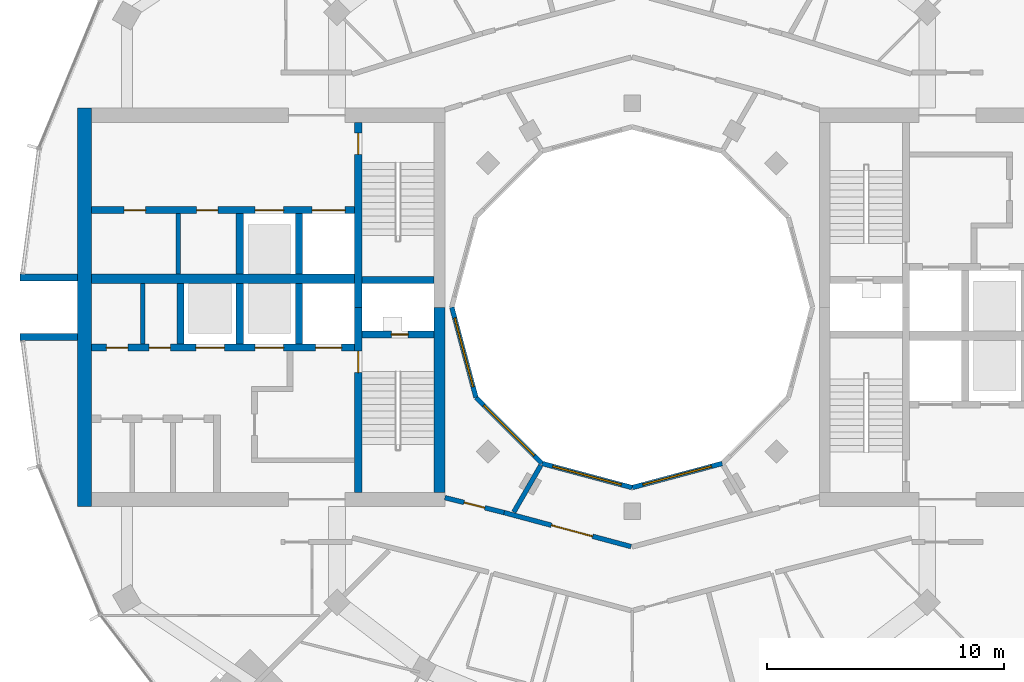
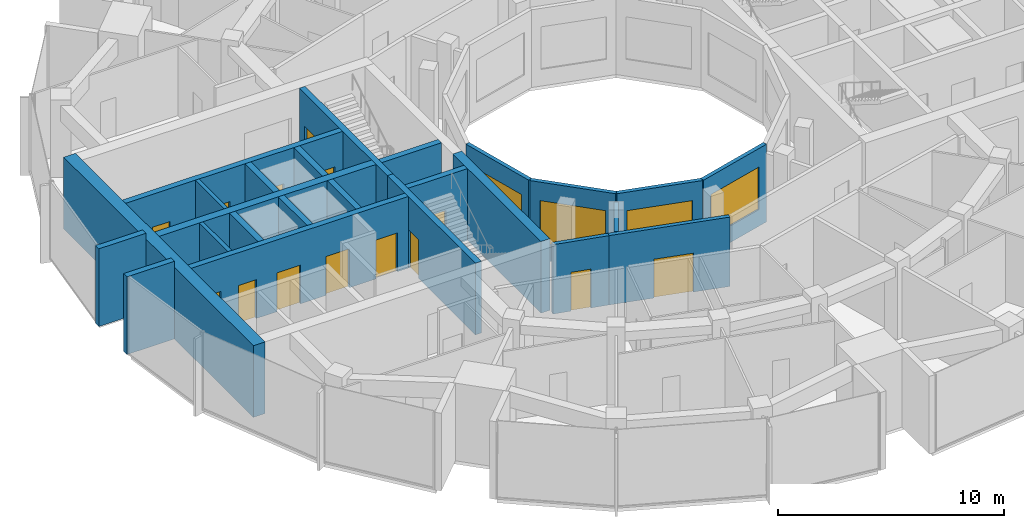
# One storey, part 9 of 15: 25 walls, 14 doors, 4 windows, 18 openings.
"""IFC4 building model written with IfcOpenShell, lengths in metres."""

from ifc_helpers import new_model, si_unit, direction, frame, frame_2d, origin, place, context, subcontext, project, spatial, rectangle, extrude, material, layer, layer_set, type_object, element, fill, save


model = new_model("IFC4")

# Units and contexts
model_context = context("Model", 3, precision=1e-05, world=origin(), true_north=direction((0.0, 1.0)))
body_context = subcontext(model_context, "Body", "Model", "MODEL_VIEW")
ifc_project = project(units=[si_unit("LENGTHUNIT", "METRE"), si_unit("AREAUNIT", "SQUARE_METRE"), si_unit("VOLUMEUNIT", "CUBIC_METRE"), si_unit("PLANEANGLEUNIT", "RADIAN"), si_unit("MASSUNIT", "GRAM", prefix="KILO")], contexts=[model_context])

# Site, building, storey
site_placement = place(None, origin())
site = spatial("IfcSite", under=ifc_project, at=site_placement, CompositionType="ELEMENT")
building_placement = place(site_placement, origin())
building = spatial("IfcBuilding", under=site, at=building_placement, Name="Torre Brocal", CompositionType="ELEMENT")
storey_placement = place(building_placement, frame((0.0, 0.0, 254.10009765625)))
storey = spatial("IfcBuildingStorey", under=building, at=storey_placement, Name="L58", CompositionType="ELEMENT", Elevation=254.10009765625)

# Walls
ifc_material_1 = material(Name="Masonry block", Category="masonry")
ifc_layer_1 = layer(ifc_material_1, 0.199951171875)
ifc_layer_set_1 = layer_set([ifc_layer_1], Name="Masonry block")
wall_type_1 = type_object("IfcWallType", Name="CORE PARTITION 200", PredefinedType="PARTITIONING", material=ifc_layer_set_1)
for number, where, z_axis, x_axis, name in (
    (1, (59.360107421875, 76.0, 0.0), (0.0, 0.0, 1.0), (0.0, -1.0, 0.0), "Wall CP200"),
    (2, (60.860107421875, 78.949951171875, 0.0), (0.0, 0.0, 1.0), (0.0, -1.0, 0.0), "Wall CP200"),
):
    element("IfcWall", number, at=place(storey_placement, frame(where, z_axis=z_axis, x_axis=x_axis)), inside=storey, type_object=wall_type_1, Name=name, PredefinedType="PARTITIONING", context=body_context, shape_type="SweptSolid", body=[
        extrude(rectangle(XDim=2.550048828125, YDim=0.199951171875, at=frame_2d((1.27490234375, 0.0))), origin(), (0.0, 0.0, 1.0), 3.8798828125),
    ])

# Wall, opening, door
ifc_material_2 = material(Name="Concrete C60", Category="concrete")
ifc_layer_2 = layer(ifc_material_2, 0.300048828125)
ifc_layer_set_2 = layer_set([ifc_layer_2], Name="Concrete C60")
wall_type_2 = type_object("IfcWallType", Name="CORE WALL 300 C60", PredefinedType="SHEAR", material=ifc_layer_set_2)
wall_1_placement = place(storey_placement, frame((68.449951171875, 75.0, 0.0), z_axis=(0.0, 0.0, 1.0), x_axis=(0.0, -1.0, 0.0)))
wall_1 = element("IfcWall", 3, at=wall_1_placement, inside=storey, type_object=wall_type_2, Name="Wall CW300-60", PredefinedType="SHEAR", context=body_context, shape_type="SweptSolid", body=[
    extrude(rectangle(XDim=7.800048828125, YDim=0.300048828125, at=frame_2d((3.89990234375, 0.0))), origin(), (0.0, 0.0, 1.0), 3.8798828125),
])
opening_1_placement = place(wall_1_placement, frame((1.85009765625, 0.0, 0.0)))
opening_1 = element("IfcOpeningElement", 4, at=opening_1_placement, cuts=wall_1, Name="Opening W-D02", PredefinedType="OPENING", context=body_context, shape_type="SweptSolid", body=[
    extrude(rectangle(XDim=0.89990234375, YDim=2.10009765625, at=frame_2d((0.449951171875, 1.050048828125))), frame((0.0, 0.159912109375, 0.0), z_axis=(0.0, -1.0, 0.0), x_axis=(1.0, 0.0, 0.0)), (0.0, 0.0, 1.0), 0.320068359375),
])
ifc_material_3 = material(Name="Steel A653", Category="steel")
door_type_1 = type_object("IfcDoorType", Name="STAIR DOOR FD120 900X2100", OperationType="SINGLE_SWING_RIGHT", PredefinedType="DOOR", material=ifc_material_3)
door_1_placement = place(opening_1_placement, origin())
door_1 = element("IfcDoor", 5, at=door_1_placement, inside=storey, type_object=door_type_1, Name="Door W-D02", OperationType="SINGLE_SWING_LEFT", OverallHeight=2.10009765625, OverallWidth=0.89990234375, PredefinedType="DOOR", context=body_context, shape_type="SweptSolid", body=[
    extrude(rectangle(XDim=0.89990234375, YDim=2.10009765625, at=frame_2d((0.449951171875, 1.050048828125))), frame((0.0, 0.02490234375, 0.0), z_axis=(0.0, -1.0, 0.0), x_axis=(1.0, 0.0, 0.0)), (0.0, 0.0, 1.0), 0.050048828125),
])
fill(opening_1, door_1)

wall_2_placement = place(storey_placement, frame((68.449951171875, 82.800048828125, 0.0), z_axis=(0.0, 0.0, 1.0), x_axis=(0.0, -1.0, 0.0)))
wall_2 = element("IfcWall", 6, at=wall_2_placement, inside=storey, type_object=wall_type_2, Name="Wall CW300-60", PredefinedType="SHEAR", context=body_context, shape_type="SweptSolid", body=[
    extrude(rectangle(XDim=7.800048828125, YDim=0.300048828125, at=frame_2d((3.89990234375, 0.0))), origin(), (0.0, 0.0, 1.0), 3.8798828125),
])
opening_2_placement = place(wall_2_placement, frame((0.449951171875, 0.0, 0.0)))
opening_2 = element("IfcOpeningElement", 7, at=opening_2_placement, cuts=wall_2, Name="Opening W-D03", PredefinedType="OPENING", context=body_context, shape_type="SweptSolid", body=[
    extrude(rectangle(XDim=0.89990234375, YDim=2.10009765625, at=frame_2d((0.449951171875, 1.050048828125))), frame((0.0, 0.159912109375, 0.0), z_axis=(0.0, -1.0, 0.0), x_axis=(1.0, 0.0, 0.0)), (0.0, 0.0, 1.0), 0.320068359375),
])
door_2_placement = place(opening_2_placement, origin())
door_2 = element("IfcDoor", 8, at=door_2_placement, inside=storey, type_object=door_type_1, Name="Door W-D03", OperationType="SINGLE_SWING_LEFT", OverallHeight=2.10009765625, OverallWidth=0.89990234375, PredefinedType="DOOR", context=body_context, shape_type="SweptSolid", body=[
    extrude(rectangle(XDim=0.89990234375, YDim=2.10009765625, at=frame_2d((0.449951171875, 1.050048828125))), frame((0.0, 0.02490234375, 0.0), z_axis=(0.0, -1.0, 0.0), x_axis=(1.0, 0.0, 0.0)), (0.0, 0.0, 1.0), 0.050048828125),
])
fill(opening_2, door_2)

wall_3_placement = place(storey_placement, frame((71.64990234375, 73.85009765625, 0.0), z_axis=(0.0, 0.0, 1.0), x_axis=(-1.0, 0.0, 0.0)))
wall_3 = element("IfcWall", 9, at=wall_3_placement, inside=storey, type_object=wall_type_2, Name="Wall CW300-60", PredefinedType="SHEAR", context=body_context, shape_type="SweptSolid", body=[
    extrude(rectangle(XDim=3.0498046875, YDim=0.300048828125, at=frame_2d((1.52490234375, 0.0))), origin(), (0.0, 0.0, 1.0), 3.8798828125),
])
opening_3_placement = place(wall_3_placement, frame((1.10009765625, 0.0, 0.0)))
opening_3 = element("IfcOpeningElement", 10, at=opening_3_placement, cuts=wall_3, Name="Opening W-D01", PredefinedType="OPENING", context=body_context, shape_type="SweptSolid", body=[
    extrude(rectangle(XDim=0.699951171875, YDim=2.0, at=frame_2d((0.35009765625, 1.0))), frame((0.0, 0.159912109375, 0.0), z_axis=(0.0, -1.0, 0.0), x_axis=(1.0, 0.0, 0.0)), (0.0, 0.0, 1.0), 0.320068359375),
])
ifc_material_4 = material(Name="Steel A653", Category="steel")
door_type_2 = type_object("IfcDoorType", Name="RISER DOOR FD120 700X2000", OperationType="SINGLE_SWING_LEFT", PredefinedType="DOOR", material=ifc_material_4)
door_3_placement = place(opening_3_placement, frame((0.699951171875, 0.0, 0.0), z_axis=(0.0, 0.0, 1.0), x_axis=(-1.0, 0.0, 0.0)))
door_3 = element("IfcDoor", 11, at=door_3_placement, inside=storey, type_object=door_type_2, Name="Door W-D01", OperationType="SINGLE_SWING_RIGHT", OverallHeight=2.0, OverallWidth=0.699951171875, PredefinedType="DOOR", context=body_context, shape_type="SweptSolid", body=[
    extrude(rectangle(XDim=0.699951171875, YDim=2.0, at=frame_2d((0.35009765625, 1.0))), frame((0.0, 0.02490234375, 0.0), z_axis=(0.0, -1.0, 0.0), x_axis=(1.0, 0.0, 0.0)), (0.0, 0.0, 1.0), 0.050048828125),
])
fill(opening_3, door_3)

# Wall
wall_4_placement = place(storey_placement, frame((71.64990234375, 76.14990234375, 0.0), z_axis=(0.0, 0.0, 1.0), x_axis=(-1.0, 0.0, 0.0)))
element("IfcWall", 12, at=wall_4_placement, inside=storey, type_object=wall_type_2, Name="Wall CW300-60", PredefinedType="SHEAR", context=body_context, shape_type="SweptSolid", body=[
    extrude(rectangle(XDim=3.0498046875, YDim=0.300048828125, at=frame_2d((1.52490234375, 0.0))), origin(), (0.0, 0.0, 1.0), 3.8798828125),
])

# Wall, openings, doors
wall_5_placement = place(storey_placement, frame((68.300048828125, 73.300048828125, 0.0), z_axis=(0.0, 0.0, 1.0), x_axis=(-1.0, 0.0, 0.0)))
wall_5 = element("IfcWall", 13, at=wall_5_placement, inside=storey, type_object=wall_type_2, Name="Wall CW300-60", PredefinedType="SHEAR", context=body_context, shape_type="SweptSolid", body=[
    extrude(rectangle(XDim=11.10009765625, YDim=0.300048828125, at=frame_2d((5.550048828125, 0.0))), origin(), (0.0, 0.0, 1.0), 3.8798828125),
])
opening_4_placement = place(wall_5_placement, frame((0.550048828125, 0.0, 0.0)))
opening_4 = element("IfcOpeningElement", 14, at=opening_4_placement, cuts=wall_5, Name="Opening LD", PredefinedType="OPENING", context=body_context, shape_type="SweptSolid", body=[
    extrude(rectangle(XDim=1.10009765625, YDim=2.10009765625, at=frame_2d((0.550048828125, 1.050048828125))), frame((0.0, 0.159912109375, 0.0), z_axis=(0.0, -1.0, 0.0), x_axis=(1.0, 0.0, 0.0)), (0.0, 0.0, 1.0), 0.320068359375),
])
opening_5_placement = place(wall_5_placement, frame((3.0, 0.0, 0.0)))
opening_5 = element("IfcOpeningElement", 15, at=opening_5_placement, cuts=wall_5, Name="Opening LD12", PredefinedType="OPENING", context=body_context, shape_type="SweptSolid", body=[
    extrude(rectangle(XDim=1.199951171875, YDim=2.10009765625, at=frame_2d((0.60009765625, 1.050048828125))), frame((0.0, 0.159912109375, 0.0), z_axis=(0.0, -1.0, 0.0), x_axis=(1.0, 0.0, 0.0)), (0.0, 0.0, 1.0), 0.320068359375),
])
opening_6_placement = place(wall_5_placement, frame((5.5, 0.0, 0.0)))
opening_6 = element("IfcOpeningElement", 16, at=opening_6_placement, cuts=wall_5, Name="Opening LD12", PredefinedType="OPENING", context=body_context, shape_type="SweptSolid", body=[
    extrude(rectangle(XDim=1.199951171875, YDim=2.10009765625, at=frame_2d((0.60009765625, 1.050048828125))), frame((0.0, 0.159912109375, 0.0), z_axis=(0.0, -1.0, 0.0), x_axis=(1.0, 0.0, 0.0)), (0.0, 0.0, 1.0), 0.320068359375),
])
opening_7_placement = place(wall_5_placement, frame((7.77001953125, 0.0, 0.0)))
opening_7 = element("IfcOpeningElement", 17, at=opening_7_placement, cuts=wall_5, Name="Opening W-D04", PredefinedType="OPENING", context=body_context, shape_type="SweptSolid", body=[
    extrude(rectangle(XDim=0.89990234375, YDim=2.10009765625, at=frame_2d((0.449951171875, 1.050048828125))), frame((0.0, 0.159912109375, 0.0), z_axis=(0.0, -1.0, 0.0), x_axis=(1.0, 0.0, 0.0)), (0.0, 0.0, 1.0), 0.320068359375),
])
opening_8_placement = place(wall_5_placement, frame((9.570068359375, 0.0, 0.0)))
opening_8 = element("IfcOpeningElement", 18, at=opening_8_placement, cuts=wall_5, Name="Opening W-D05", PredefinedType="OPENING", context=body_context, shape_type="SweptSolid", body=[
    extrude(rectangle(XDim=0.89990234375, YDim=2.10009765625, at=frame_2d((0.449951171875, 1.050048828125))), frame((0.0, 0.159912109375, 0.0), z_axis=(0.0, -1.0, 0.0), x_axis=(1.0, 0.0, 0.0)), (0.0, 0.0, 1.0), 0.320068359375),
])
ifc_material_5 = material(Name="Stainless steel AISI 316", Category="steel")
door_type_3 = type_object("IfcDoorType", Name="LIFT LANDING DOOR 1100X2100", OperationType="DOUBLE_DOOR_SLIDING", PredefinedType="DOOR", material=ifc_material_5)
door_4_placement = place(opening_4_placement, origin())
door_4 = element("IfcDoor", 19, at=door_4_placement, inside=storey, type_object=door_type_3, Name="Door LD", OperationType="DOUBLE_DOOR_SLIDING", OverallHeight=2.10009765625, OverallWidth=1.10009765625, PredefinedType="DOOR", context=body_context, shape_type="SweptSolid", body=[
    extrude(rectangle(XDim=1.10009765625, YDim=2.10009765625, at=frame_2d((0.550048828125, 1.050048828125))), frame((0.0, 0.02490234375, 0.0), z_axis=(0.0, -1.0, 0.0), x_axis=(1.0, 0.0, 0.0)), (0.0, 0.0, 1.0), 0.050048828125),
])
fill(opening_4, door_4)
ifc_material_6 = material(Name="Stainless steel AISI 316", Category="steel")
door_type_4 = type_object("IfcDoorType", Name="LIFT LANDING DOOR 1200X2100", OperationType="DOUBLE_DOOR_SLIDING", PredefinedType="DOOR", material=ifc_material_6)
door_5_placement = place(opening_5_placement, origin())
door_5 = element("IfcDoor", 20, at=door_5_placement, inside=storey, type_object=door_type_4, Name="Door LD12", OperationType="DOUBLE_DOOR_SLIDING", OverallHeight=2.10009765625, OverallWidth=1.199951171875, PredefinedType="DOOR", context=body_context, shape_type="SweptSolid", body=[
    extrude(rectangle(XDim=1.199951171875, YDim=2.10009765625, at=frame_2d((0.60009765625, 1.050048828125))), frame((0.0, 0.02490234375, 0.0), z_axis=(0.0, -1.0, 0.0), x_axis=(1.0, 0.0, 0.0)), (0.0, 0.0, 1.0), 0.050048828125),
])
fill(opening_5, door_5)
door_6_placement = place(opening_6_placement, origin())
door_6 = element("IfcDoor", 21, at=door_6_placement, inside=storey, type_object=door_type_4, Name="Door LD12", OperationType="DOUBLE_DOOR_SLIDING", OverallHeight=2.10009765625, OverallWidth=1.199951171875, PredefinedType="DOOR", context=body_context, shape_type="SweptSolid", body=[
    extrude(rectangle(XDim=1.199951171875, YDim=2.10009765625, at=frame_2d((0.60009765625, 1.050048828125))), frame((0.0, 0.02490234375, 0.0), z_axis=(0.0, -1.0, 0.0), x_axis=(1.0, 0.0, 0.0)), (0.0, 0.0, 1.0), 0.050048828125),
])
fill(opening_6, door_6)
ifc_material_7 = material(Name="Steel A653", Category="steel")
door_type_5 = type_object("IfcDoorType", Name="ROOM DOOR FD30S 900X2100", OperationType="SINGLE_SWING_LEFT", PredefinedType="DOOR", material=ifc_material_7)
door_7_placement = place(opening_7_placement, frame((0.89990234375, 0.0, 0.0), z_axis=(0.0, 0.0, 1.0), x_axis=(-1.0, 0.0, 0.0)))
door_7 = element("IfcDoor", 22, at=door_7_placement, inside=storey, type_object=door_type_5, Name="Door W-D04", OperationType="SINGLE_SWING_LEFT", OverallHeight=2.10009765625, OverallWidth=0.89990234375, PredefinedType="DOOR", context=body_context, shape_type="SweptSolid", body=[
    extrude(rectangle(XDim=0.89990234375, YDim=2.10009765625, at=frame_2d((0.449951171875, 1.050048828125))), frame((0.0, 0.02490234375, 0.0), z_axis=(0.0, -1.0, 0.0), x_axis=(1.0, 0.0, 0.0)), (0.0, 0.0, 1.0), 0.050048828125),
])
fill(opening_7, door_7)
door_8_placement = place(opening_8_placement, frame((0.89990234375, 0.0, 0.0), z_axis=(0.0, 0.0, 1.0), x_axis=(-1.0, 0.0, 0.0)))
door_8 = element("IfcDoor", 23, at=door_8_placement, inside=storey, type_object=door_type_5, Name="Door W-D05", OperationType="SINGLE_SWING_RIGHT", OverallHeight=2.10009765625, OverallWidth=0.89990234375, PredefinedType="DOOR", context=body_context, shape_type="SweptSolid", body=[
    extrude(rectangle(XDim=0.89990234375, YDim=2.10009765625, at=frame_2d((0.449951171875, 1.050048828125))), frame((0.0, 0.02490234375, 0.0), z_axis=(0.0, -1.0, 0.0), x_axis=(1.0, 0.0, 0.0)), (0.0, 0.0, 1.0), 0.050048828125),
])
fill(opening_8, door_8)

wall_6_placement = place(storey_placement, frame((68.300048828125, 79.10009765625, 0.0), z_axis=(0.0, 0.0, 1.0), x_axis=(-1.0, 0.0, 0.0)))
wall_6 = element("IfcWall", 24, at=wall_6_placement, inside=storey, type_object=wall_type_2, Name="Wall CW300-60", PredefinedType="SHEAR", context=body_context, shape_type="SweptSolid", body=[
    extrude(rectangle(XDim=11.10009765625, YDim=0.300048828125, at=frame_2d((5.550048828125, 0.0))), origin(), (0.0, 0.0, 1.0), 3.8798828125),
])
opening_9_placement = place(wall_6_placement, frame((0.39990234375, 0.0, 0.0)))
opening_9 = element("IfcOpeningElement", 25, at=opening_9_placement, cuts=wall_6, Name="Opening LD14", PredefinedType="OPENING", context=body_context, shape_type="SweptSolid", body=[
    extrude(rectangle(XDim=1.39990234375, YDim=2.10009765625, at=frame_2d((0.699951171875, 1.050048828125))), frame((0.0, 0.159912109375, 0.0), z_axis=(0.0, -1.0, 0.0), x_axis=(1.0, 0.0, 0.0)), (0.0, 0.0, 1.0), 0.320068359375),
])
opening_10_placement = place(wall_6_placement, frame((3.0, 0.0, 0.0)))
opening_10 = element("IfcOpeningElement", 26, at=opening_10_placement, cuts=wall_6, Name="Opening LD12", PredefinedType="OPENING", context=body_context, shape_type="SweptSolid", body=[
    extrude(rectangle(XDim=1.199951171875, YDim=2.10009765625, at=frame_2d((0.60009765625, 1.050048828125))), frame((0.0, 0.159912109375, 0.0), z_axis=(0.0, -1.0, 0.0), x_axis=(1.0, 0.0, 0.0)), (0.0, 0.0, 1.0), 0.320068359375),
])
opening_11_placement = place(wall_6_placement, frame((5.77001953125, 0.0, 0.0)))
opening_11 = element("IfcOpeningElement", 27, at=opening_11_placement, cuts=wall_6, Name="Opening W-D06", PredefinedType="OPENING", context=body_context, shape_type="SweptSolid", body=[
    extrude(rectangle(XDim=0.89990234375, YDim=2.10009765625, at=frame_2d((0.449951171875, 1.050048828125))), frame((0.0, 0.159912109375, 0.0), z_axis=(0.0, -1.0, 0.0), x_axis=(1.0, 0.0, 0.0)), (0.0, 0.0, 1.0), 0.320068359375),
])
opening_12_placement = place(wall_6_placement, frame((8.820068359375, 0.0, 0.0)))
opening_12 = element("IfcOpeningElement", 28, at=opening_12_placement, cuts=wall_6, Name="Opening W-D07", PredefinedType="OPENING", context=body_context, shape_type="SweptSolid", body=[
    extrude(rectangle(XDim=0.89990234375, YDim=2.10009765625, at=frame_2d((0.449951171875, 1.050048828125))), frame((0.0, 0.159912109375, 0.0), z_axis=(0.0, -1.0, 0.0), x_axis=(1.0, 0.0, 0.0)), (0.0, 0.0, 1.0), 0.320068359375),
])
door_9_placement = place(opening_10_placement, origin())
door_9 = element("IfcDoor", 29, at=door_9_placement, inside=storey, type_object=door_type_4, Name="Door LD12", OperationType="DOUBLE_DOOR_SLIDING", OverallHeight=2.10009765625, OverallWidth=1.199951171875, PredefinedType="DOOR", context=body_context, shape_type="SweptSolid", body=[
    extrude(rectangle(XDim=1.199951171875, YDim=2.10009765625, at=frame_2d((0.60009765625, 1.050048828125))), frame((0.0, 0.02490234375, 0.0), z_axis=(0.0, -1.0, 0.0), x_axis=(1.0, 0.0, 0.0)), (0.0, 0.0, 1.0), 0.050048828125),
])
fill(opening_10, door_9)
ifc_material_8 = material(Name="Stainless steel AISI 316", Category="steel")
door_type_6 = type_object("IfcDoorType", Name="LIFT LANDING DOOR 1400X2100", OperationType="DOUBLE_DOOR_SLIDING", PredefinedType="DOOR", material=ifc_material_8)
door_10_placement = place(opening_9_placement, origin())
door_10 = element("IfcDoor", 30, at=door_10_placement, inside=storey, type_object=door_type_6, Name="Door LD14", OperationType="DOUBLE_DOOR_SLIDING", OverallHeight=2.10009765625, OverallWidth=1.39990234375, PredefinedType="DOOR", context=body_context, shape_type="SweptSolid", body=[
    extrude(rectangle(XDim=1.39990234375, YDim=2.10009765625, at=frame_2d((0.699951171875, 1.050048828125))), frame((0.0, 0.02490234375, 0.0), z_axis=(0.0, -1.0, 0.0), x_axis=(1.0, 0.0, 0.0)), (0.0, 0.0, 1.0), 0.050048828125),
])
fill(opening_9, door_10)
door_11_placement = place(opening_11_placement, origin())
door_11 = element("IfcDoor", 31, at=door_11_placement, inside=storey, type_object=door_type_5, Name="Door W-D06", OperationType="SINGLE_SWING_RIGHT", OverallHeight=2.10009765625, OverallWidth=0.89990234375, PredefinedType="DOOR", context=body_context, shape_type="SweptSolid", body=[
    extrude(rectangle(XDim=0.89990234375, YDim=2.10009765625, at=frame_2d((0.449951171875, 1.050048828125))), frame((0.0, 0.02490234375, 0.0), z_axis=(0.0, -1.0, 0.0), x_axis=(1.0, 0.0, 0.0)), (0.0, 0.0, 1.0), 0.050048828125),
])
fill(opening_11, door_11)
door_12_placement = place(opening_12_placement, origin())
door_12 = element("IfcDoor", 32, at=door_12_placement, inside=storey, type_object=door_type_5, Name="Door W-D07", OperationType="SINGLE_SWING_LEFT", OverallHeight=2.10009765625, OverallWidth=0.89990234375, PredefinedType="DOOR", context=body_context, shape_type="SweptSolid", body=[
    extrude(rectangle(XDim=0.89990234375, YDim=2.10009765625, at=frame_2d((0.449951171875, 1.050048828125))), frame((0.0, 0.02490234375, 0.0), z_axis=(0.0, -1.0, 0.0), x_axis=(1.0, 0.0, 0.0)), (0.0, 0.0, 1.0), 0.050048828125),
])
fill(opening_12, door_12)

# Walls
for number, where, z_axis, x_axis, name in (
    (33, (65.949951171875, 76.0, 0.0), (0.0, 0.0, 1.0), (0.0, -1.0, 0.0), "Wall CW300-60"),
    (34, (63.449951171875, 76.0, 0.0), (0.0, 0.0, 1.0), (0.0, -1.0, 0.0), "Wall CW300-60"),
    (35, (60.949951171875, 76.0, 0.0), (0.0, 0.0, 1.0), (0.0, -1.0, 0.0), "Wall CW300-60"),
    (36, (65.949951171875, 78.949951171875, 0.0), (0.0, 0.0, 1.0), (0.0, -1.0, 0.0), "Wall CW300-60"),
    (37, (63.449951171875, 78.949951171875, 0.0), (0.0, 0.0, 1.0), (0.0, -1.0, 0.0), "Wall CW300-60"),
):
    element("IfcWall", number, at=place(storey_placement, frame(where, z_axis=z_axis, x_axis=x_axis)), inside=storey, type_object=wall_type_2, Name=name, PredefinedType="SHEAR", context=body_context, shape_type="SweptSolid", body=[
        extrude(rectangle(XDim=2.550048828125, YDim=0.300048828125, at=frame_2d((1.27490234375, 0.0))), origin(), (0.0, 0.0, 1.0), 3.8798828125),
    ])
ifc_material_9 = material(Name="Concrete C60", Category="concrete")
ifc_layer_3 = layer(ifc_material_9, 0.39990234375)
ifc_layer_set_3 = layer_set([ifc_layer_3], Name="Concrete C60")
wall_type_3 = type_object("IfcWallType", Name="CORE WALL 400 C60", PredefinedType="SHEAR", material=ifc_layer_set_3)
wall_7_placement = place(storey_placement, frame((68.300048828125, 76.199951171875, 0.0), z_axis=(0.0, 0.0, 1.0), x_axis=(-1.0, 0.0, 0.0)))
element("IfcWall", 38, at=wall_7_placement, inside=storey, type_object=wall_type_3, Name="Wall CW400-60", PredefinedType="SHEAR", context=body_context, shape_type="SweptSolid", body=[
    extrude(rectangle(XDim=11.10009765625, YDim=0.39990234375, at=frame_2d((5.550048828125, 0.0))), origin(), (0.0, 0.0, 1.0), 3.8798828125),
])
ifc_material_10 = material(Name="Concrete C60", Category="concrete")
ifc_layer_4 = layer(ifc_material_10, 0.449951171875)
ifc_layer_set_4 = layer_set([ifc_layer_4], Name="Concrete C60")
wall_type_4 = type_object("IfcWallType", Name="CORE WALL 450 C60", PredefinedType="SHEAR", material=ifc_layer_set_4)
wall_8_placement = place(storey_placement, frame((71.875, 75.0, 0.0), z_axis=(0.0, 0.0, 1.0), x_axis=(0.0, -1.0, 0.0)))
element("IfcWall", 39, at=wall_8_placement, inside=storey, type_object=wall_type_4, Name="Wall CW450-60", PredefinedType="SHEAR", context=body_context, shape_type="SweptSolid", body=[
    extrude(rectangle(XDim=7.800048828125, YDim=0.449951171875, at=frame_2d((3.89990234375, 0.0))), origin(), (0.0, 0.0, 1.0), 3.8798828125),
])
ifc_material_11 = material(Name="Concrete C60", Category="concrete")
ifc_layer_5 = layer(ifc_material_11, 0.60009765625)
ifc_layer_set_5 = layer_set([ifc_layer_5], Name="Concrete C60")
wall_type_5 = type_object("IfcWallType", Name="CORE WALL 600 C60", PredefinedType="SHEAR", material=ifc_layer_set_5)
wall_9_placement = place(storey_placement, frame((56.89990234375, 83.39990234375, 0.0), z_axis=(0.0, 0.0, 1.0), x_axis=(0.0, -1.0, 0.0)))
element("IfcWall", 40, at=wall_9_placement, inside=storey, type_object=wall_type_5, Name="Wall CW600-60", PredefinedType="SHEAR", context=body_context, shape_type="SweptSolid", body=[
    extrude(rectangle(XDim=16.7998046875, YDim=0.60009765625, at=frame_2d((8.39990234375, 0.0))), origin(), (0.0, 0.0, 1.0), 3.8798828125),
])
ifc_material_12 = material(Name="Concrete C60", Category="concrete")
ifc_layer_6 = layer(ifc_material_12, 0.300048828125)
ifc_layer_set_6 = layer_set([ifc_layer_6], Name="Concrete C60")
wall_type_6 = type_object("IfcWallType", Name="NOTCH RETURN WALL 300 C60", PredefinedType="NOTDEFINED", material=ifc_layer_set_6)
for number, where, z_axis, x_axis, name in (
    (41, (56.60009765625, 76.25, 0.0), (0.0, 0.0, 1.0), (-1.0, 0.0, 0.0), "NOTCH RETURN WALL"),
    (42, (56.60009765625, 73.75, 0.0), (0.0, 0.0, 1.0), (-1.0, 0.0, 0.0), "NOTCH RETURN WALL"),
):
    element("IfcWall", number, at=place(storey_placement, frame(where, z_axis=z_axis, x_axis=x_axis)), inside=storey, type_object=wall_type_6, Name=name, PredefinedType="NOTDEFINED", context=body_context, shape_type="SweptSolid", body=[
        extrude(rectangle(XDim=2.415771484375, YDim=0.300048828125, at=frame_2d((1.2080078125, 0.0))), origin(), (0.0, 0.0, 1.0), 4.199951171875),
    ])

# Wall, opening, door
ifc_material_13 = material(Name="Gypsum board", Category="Gypsum")
ifc_layer_7 = layer(ifc_material_13, 0.199951171875)
ifc_layer_set_7 = layer_set([ifc_layer_7], Name="Gypsum board")
wall_type_7 = type_object("IfcWallType", Name="PARTITION 200 EI60", PredefinedType="PARTITIONING", material=ifc_layer_set_7)
wall_10_placement = place(storey_placement, frame((72.10009765625, 66.97509765625, 0.0), z_axis=(0.0, 0.0, 1.0), x_axis=(0.969471314457, -0.245204752086, 0.0)))
wall_10 = element("IfcWall", 43, at=wall_10_placement, inside=storey, type_object=wall_type_7, Name="CORRIDOR WALL", PredefinedType="PARTITIONING", context=body_context, shape_type="SweptSolid", body=[
    extrude(rectangle(XDim=2.581787109375, YDim=0.199951171875, at=frame_2d((1.291015625, 0.0))), origin(), (0.0, 0.0, 1.0), 3.75),
])
opening_13_placement = place(wall_10_placement, frame((0.8408203125, 0.0, 0.0)))
opening_13 = element("IfcOpeningElement", 44, at=opening_13_placement, cuts=wall_10, Name="Opening B04-D41", PredefinedType="OPENING", context=body_context, shape_type="SweptSolid", body=[
    extrude(rectangle(XDim=0.89990234375, YDim=2.10009765625, at=frame_2d((0.449951171875, 1.050048828125))), frame((0.0, 0.10986328125, 0.0), z_axis=(0.0, -1.0, 0.0), x_axis=(1.0, 0.0, 0.0)), (0.0, 0.0, 1.0), 0.219970703125),
])
ifc_material_14 = material(Name="Timber", Category="wood")
door_type_7 = type_object("IfcDoorType", Name="ROOM DOOR 900X2100", OperationType="SINGLE_SWING_LEFT", PredefinedType="DOOR", material=ifc_material_14)
door_13_placement = place(opening_13_placement, origin())
door_13 = element("IfcDoor", 45, at=door_13_placement, inside=storey, type_object=door_type_7, Name="B04-D41", OperationType="SINGLE_SWING_LEFT", OverallHeight=2.10009765625, OverallWidth=0.89990234375, PredefinedType="DOOR", context=body_context, shape_type="SweptSolid", body=[
    extrude(rectangle(XDim=0.89990234375, YDim=2.10009765625, at=frame_2d((0.449951171875, 1.050048828125))), frame((0.0, 0.02490234375, 0.0), z_axis=(0.0, -1.0, 0.0), x_axis=(1.0, 0.0, 0.0)), (0.0, 0.0, 1.0), 0.050048828125),
])
fill(opening_13, door_13)

wall_11_placement = place(storey_placement, frame((74.60302734375, 66.34228515625, 0.0), z_axis=(0.0, 0.0, 1.0), x_axis=(0.965895298152, -0.258932950796, 0.0)))
wall_11 = element("IfcWall", 46, at=wall_11_placement, inside=storey, type_object=wall_type_7, Name="CORRIDOR WALL", PredefinedType="PARTITIONING", context=body_context, shape_type="SweptSolid", body=[
    extrude(rectangle(XDim=5.53759765625, YDim=0.199951171875, at=frame_2d((2.768798828125, 0.0))), origin(), (0.0, 0.0, 1.0), 3.75),
])
opening_14_placement = place(wall_11_placement, frame((2.0625, 0.0, 0.0)))
opening_14 = element("IfcOpeningElement", 47, at=opening_14_placement, cuts=wall_11, Name="Opening B04-D40", PredefinedType="OPENING", context=body_context, shape_type="SweptSolid", body=[
    extrude(rectangle(XDim=1.800048828125, YDim=2.10009765625, at=frame_2d((0.89990234375, 1.050048828125))), frame((0.0, 0.10986328125, 0.0), z_axis=(0.0, -1.0, 0.0), x_axis=(1.0, 0.0, 0.0)), (0.0, 0.0, 1.0), 0.219970703125),
])
ifc_material_15 = material(Name="Timber", Category="wood")
door_type_8 = type_object("IfcDoorType", Name="DOUBLE DOOR 1800X2100", OperationType="DOUBLE_DOOR_SINGLE_SWING", PredefinedType="DOOR", material=ifc_material_15)
door_14_placement = place(opening_14_placement, origin())
door_14 = element("IfcDoor", 48, at=door_14_placement, inside=storey, type_object=door_type_8, Name="B04-D40", OperationType="DOUBLE_DOOR_SINGLE_SWING", OverallHeight=2.10009765625, OverallWidth=1.800048828125, PredefinedType="DOOR", context=body_context, shape_type="SweptSolid", body=[
    extrude(rectangle(XDim=1.800048828125, YDim=2.10009765625, at=frame_2d((0.89990234375, 1.050048828125))), frame((0.0, 0.02490234375, 0.0), z_axis=(0.0, -1.0, 0.0), x_axis=(1.0, 0.0, 0.0)), (0.0, 0.0, 1.0), 0.050048828125),
])
fill(opening_14, door_14)

# Wall
wall_12_placement = place(storey_placement, frame((75.01123046875, 66.363525390625, 0.0), z_axis=(0.0, 0.0, 1.0), x_axis=(0.500121996664, 0.86595495752, 0.0)))
element("IfcWall", 49, at=wall_12_placement, inside=storey, type_object=wall_type_7, Name="SERVICE ROOM WALL", PredefinedType="PARTITIONING", context=body_context, shape_type="SweptSolid", body=[
    extrude(rectangle(XDim=2.2744140625, YDim=0.199951171875, at=frame_2d((1.13720703125, 0.0))), origin(), (0.0, 0.0, 1.0), 3.75),
])

# Wall, opening, window
ifc_material_16 = material(Name="Concrete C40", Category="concrete")
ifc_layer_8 = layer(ifc_material_16, 0.199951171875)
ifc_layer_set_8 = layer_set([ifc_layer_8], Name="Concrete C40")
wall_type_8 = type_object("IfcWallType", Name="WELL FACADE WALL 200", PredefinedType="NOTDEFINED", material=ifc_layer_set_8)
wall_13_placement = place(storey_placement, frame((72.396484375, 75.0, 0.0), z_axis=(0.0, 0.0, 1.0), x_axis=(0.258789828301, -0.965933654434, 0.0)))
wall_13 = element("IfcWall", 50, at=wall_13_placement, inside=storey, type_object=wall_type_8, Name="WELL FACADE WALL", PredefinedType="NOTDEFINED", context=body_context, shape_type="SweptSolid", body=[
    extrude(rectangle(XDim=3.935791015625, YDim=0.199951171875, at=frame_2d((1.9677734375, 0.0))), origin(), (0.0, 0.0, 1.0), 4.199951171875),
])
opening_15_placement = place(wall_13_placement, frame((0.468017578125, 0.0, 0.89990234375)))
opening_15 = element("IfcOpeningElement", 51, at=opening_15_placement, cuts=wall_13, Name="Opening W1", PredefinedType="OPENING", context=body_context, shape_type="SweptSolid", body=[
    extrude(rectangle(XDim=3.0, YDim=2.300048828125, at=frame_2d((1.5, 1.14990234375))), frame((0.0, 0.10986328125, 0.0), z_axis=(0.0, -1.0, 0.0), x_axis=(1.0, 0.0, 0.0)), (0.0, 0.0, 1.0), 0.219970703125),
])
ifc_material_17 = material(Name="Aluminium and glass", Category="aluminium")
window_type = type_object("IfcWindowType", Name="WELL WINDOW 3000X2300", PartitioningType="SINGLE_PANEL", PredefinedType="WINDOW", material=ifc_material_17)
window_1_placement = place(opening_15_placement, origin())
window_1 = element("IfcWindow", 52, at=window_1_placement, inside=storey, type_object=window_type, Name="WELL WINDOW 3000X2300", OverallHeight=2.300048828125, OverallWidth=3.0, PartitioningType="SINGLE_PANEL", PredefinedType="WINDOW", context=body_context, shape_type="SweptSolid", body=[
    extrude(rectangle(XDim=3.0, YDim=2.300048828125, at=frame_2d((1.5, 1.14990234375))), frame((0.0, 0.030029296875, 0.0), z_axis=(0.0, -1.0, 0.0), x_axis=(1.0, 0.0, 0.0)), (0.0, 0.0, 1.0), 0.06005859375),
])
fill(opening_15, window_1)

wall_14_placement = place(storey_placement, frame((73.4150390625, 71.1982421875, 0.0), z_axis=(0.0, 0.0, 1.0), x_axis=(0.707106781187, -0.707106781187, 0.0)))
wall_14 = element("IfcWall", 53, at=wall_14_placement, inside=storey, type_object=wall_type_8, Name="WELL FACADE WALL", PredefinedType="NOTDEFINED", context=body_context, shape_type="SweptSolid", body=[
    extrude(rectangle(XDim=3.93603515625, YDim=0.199951171875, at=frame_2d((1.968017578125, 0.0))), origin(), (0.0, 0.0, 1.0), 4.199951171875),
])
opening_16_placement = place(wall_14_placement, frame((0.468017578125, 0.0, 0.89990234375)))
opening_16 = element("IfcOpeningElement", 54, at=opening_16_placement, cuts=wall_14, Name="Opening W1", PredefinedType="OPENING", context=body_context, shape_type="SweptSolid", body=[
    extrude(rectangle(XDim=3.0, YDim=2.300048828125, at=frame_2d((1.5, 1.14990234375))), frame((0.0, 0.10986328125, 0.0), z_axis=(0.0, -1.0, 0.0), x_axis=(1.0, 0.0, 0.0)), (0.0, 0.0, 1.0), 0.219970703125),
])
window_2_placement = place(opening_16_placement, origin())
window_2 = element("IfcWindow", 55, at=window_2_placement, inside=storey, type_object=window_type, Name="WELL WINDOW 3000X2300", OverallHeight=2.300048828125, OverallWidth=3.0, PartitioningType="SINGLE_PANEL", PredefinedType="WINDOW", context=body_context, shape_type="SweptSolid", body=[
    extrude(rectangle(XDim=3.0, YDim=2.300048828125, at=frame_2d((1.5, 1.14990234375))), frame((0.0, 0.030029296875, 0.0), z_axis=(0.0, -1.0, 0.0), x_axis=(1.0, 0.0, 0.0)), (0.0, 0.0, 1.0), 0.06005859375),
])
fill(opening_16, window_2)

wall_15_placement = place(storey_placement, frame((76.1982421875, 68.4150390625, 0.0), z_axis=(0.0, 0.0, 1.0), x_axis=(0.965933654434, -0.258789828301, 0.0)))
wall_15 = element("IfcWall", 56, at=wall_15_placement, inside=storey, type_object=wall_type_8, Name="WELL FACADE WALL", PredefinedType="NOTDEFINED", context=body_context, shape_type="SweptSolid", body=[
    extrude(rectangle(XDim=3.935791015625, YDim=0.199951171875, at=frame_2d((1.9677734375, 0.0))), origin(), (0.0, 0.0, 1.0), 4.199951171875),
])
opening_17_placement = place(wall_15_placement, frame((0.468017578125, 0.0, 0.89990234375)))
opening_17 = element("IfcOpeningElement", 57, at=opening_17_placement, cuts=wall_15, Name="Opening W1", PredefinedType="OPENING", context=body_context, shape_type="SweptSolid", body=[
    extrude(rectangle(XDim=3.0, YDim=2.300048828125, at=frame_2d((1.5, 1.14990234375))), frame((0.0, 0.10986328125, 0.0), z_axis=(0.0, -1.0, 0.0), x_axis=(1.0, 0.0, 0.0)), (0.0, 0.0, 1.0), 0.219970703125),
])
window_3_placement = place(opening_17_placement, origin())
window_3 = element("IfcWindow", 58, at=window_3_placement, inside=storey, type_object=window_type, Name="WELL WINDOW 3000X2300", OverallHeight=2.300048828125, OverallWidth=3.0, PartitioningType="SINGLE_PANEL", PredefinedType="WINDOW", context=body_context, shape_type="SweptSolid", body=[
    extrude(rectangle(XDim=3.0, YDim=2.300048828125, at=frame_2d((1.5, 1.14990234375))), frame((0.0, 0.030029296875, 0.0), z_axis=(0.0, -1.0, 0.0), x_axis=(1.0, 0.0, 0.0)), (0.0, 0.0, 1.0), 0.06005859375),
])
fill(opening_17, window_3)

wall_16_placement = place(storey_placement, frame((80.0, 67.396484375, 0.0), z_axis=(0.0, 0.0, 1.0), x_axis=(0.965933654434, 0.258789828301, 0.0)))
wall_16 = element("IfcWall", 59, at=wall_16_placement, inside=storey, type_object=wall_type_8, Name="WELL FACADE WALL", PredefinedType="NOTDEFINED", context=body_context, shape_type="SweptSolid", body=[
    extrude(rectangle(XDim=3.935791015625, YDim=0.199951171875, at=frame_2d((1.9677734375, 0.0))), origin(), (0.0, 0.0, 1.0), 4.199951171875),
])
opening_18_placement = place(wall_16_placement, frame((0.468017578125, 0.0, 0.89990234375)))
opening_18 = element("IfcOpeningElement", 60, at=opening_18_placement, cuts=wall_16, Name="Opening W1", PredefinedType="OPENING", context=body_context, shape_type="SweptSolid", body=[
    extrude(rectangle(XDim=3.0, YDim=2.300048828125, at=frame_2d((1.5, 1.14990234375))), frame((0.0, 0.10986328125, 0.0), z_axis=(0.0, -1.0, 0.0), x_axis=(1.0, 0.0, 0.0)), (0.0, 0.0, 1.0), 0.219970703125),
])
window_4_placement = place(opening_18_placement, origin())
window_4 = element("IfcWindow", 61, at=window_4_placement, inside=storey, type_object=window_type, Name="WELL WINDOW 3000X2300", OverallHeight=2.300048828125, OverallWidth=3.0, PartitioningType="SINGLE_PANEL", PredefinedType="WINDOW", context=body_context, shape_type="SweptSolid", body=[
    extrude(rectangle(XDim=3.0, YDim=2.300048828125, at=frame_2d((1.5, 1.14990234375))), frame((0.0, 0.030029296875, 0.0), z_axis=(0.0, -1.0, 0.0), x_axis=(1.0, 0.0, 0.0)), (0.0, 0.0, 1.0), 0.06005859375),
])
fill(opening_18, window_4)

save(model, "model.ifc")
